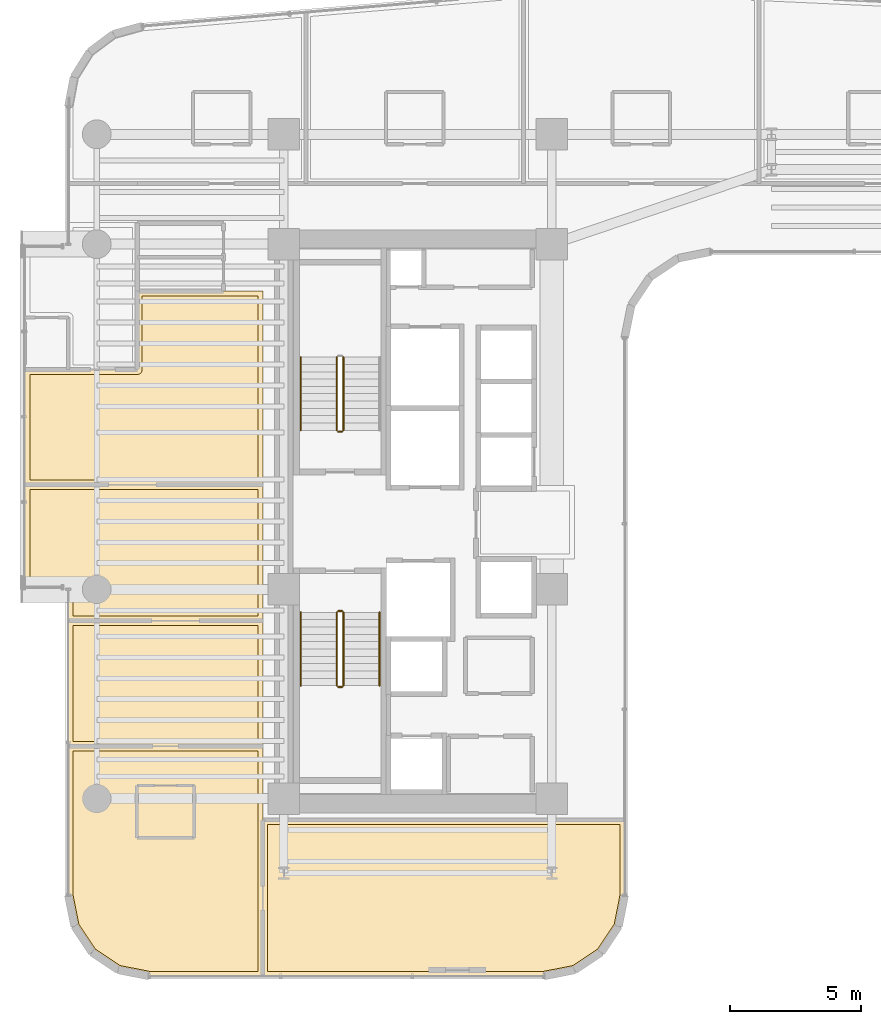
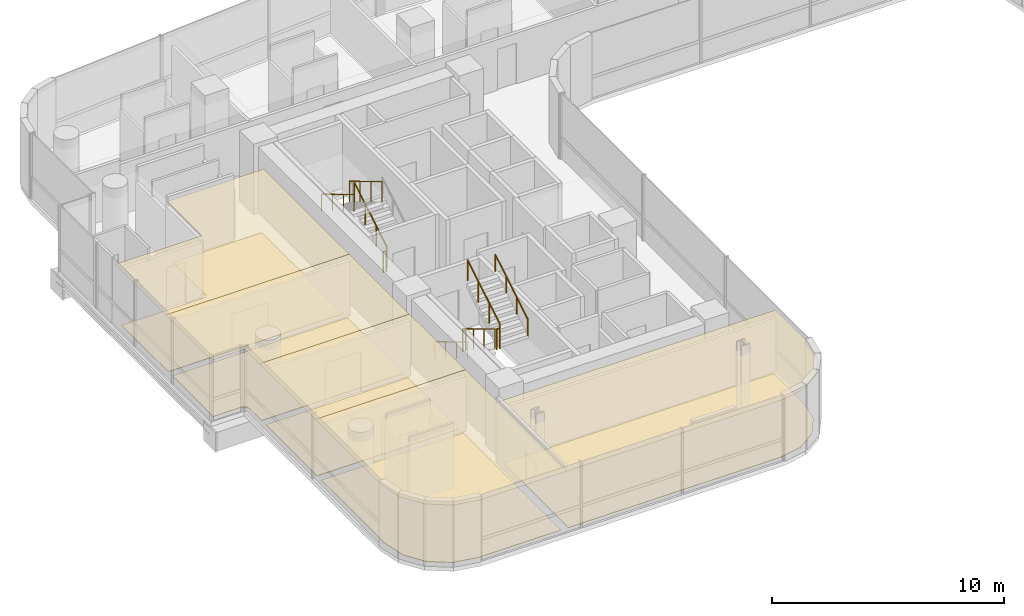
# One storey, part 31 of 35: 10 coverings, 10 railings.
"""IFC4 building model written with IfcOpenShell, lengths in metres."""

from ifc_helpers import new_model, si_unit, direction, frame, origin, origin_2d, place, context, subcontext, project, spatial, polyline, circle, outline, extrude, material, layer, layer_set, type_object, element, save


model = new_model("IFC4")

# Units and contexts
model_context = context("Model", 3, precision=1e-05, world=origin(), true_north=direction((0.0, 1.0)))
body_context = subcontext(model_context, "Body", "Model", "MODEL_VIEW")
ifc_project = project(units=[si_unit("LENGTHUNIT", "METRE"), si_unit("AREAUNIT", "SQUARE_METRE"), si_unit("VOLUMEUNIT", "CUBIC_METRE"), si_unit("PLANEANGLEUNIT", "RADIAN"), si_unit("MASSUNIT", "GRAM", prefix="KILO")], contexts=[model_context])

# Site, building, storey
site_placement = place(None, origin())
site = spatial("IfcSite", under=ifc_project, at=site_placement, CompositionType="ELEMENT")
building_placement = place(site_placement, origin())
building = spatial("IfcBuilding", under=site, at=building_placement, Name="Valdorenza Pilgrim Sanctuary Tower", CompositionType="ELEMENT")
storey_placement = place(building_placement, frame((0.0, 0.0, 113.10009765625)))
storey = spatial("IfcBuildingStorey", under=building, at=storey_placement, Name="L28", CompositionType="ELEMENT", Elevation=113.10009765625)

# Coverings
ifc_material_1 = material(Name="Micro-perforated acoustic mineral ceiling tile", Category="gypsum")
ifc_layer_1 = layer(ifc_material_1, 0.02490234375, Name="Micro-perforated acoustic mineral ceiling tile")
ifc_layer_set_1 = layer_set([ifc_layer_1], Name="Micro-perforated acoustic mineral ceiling tile")
covering_type_1 = type_object("IfcCoveringType", Name="COV-CLG-ACU", PredefinedType="CEILING", material=ifc_layer_set_1)
covering_1_placement = place(storey_placement, frame((0.0, 0.0, 3.159912109375)))
element("IfcCovering", 1, at=covering_1_placement, inside=storey, type_object=covering_type_1, Name="L28 Pilgrim Guest Room L28-CS1 Acoustic Ceiling", PredefinedType="CEILING", context=body_context, shape_type="SweptSolid", body=[
    extrude(outline(polyline([(-23.449951171875, -8.5849609375), (-23.448486328125, -8.585205078125), (-23.447021484375, -8.585205078125), (-23.445556640625, -8.585693359375), (-23.4443359375, -8.586181640625), (-23.44287109375, -8.5869140625), (-23.441650390625, -8.58740234375), (-23.4404296875, -8.58837890625), (-23.439453125, -8.58935546875), (-23.4384765625, -8.590576171875), (-23.4375, -8.591796875), (-23.436767578125, -8.593017578125), (-23.43603515625, -8.59423828125), (-23.435546875, -8.595703125), (-23.435302734375, -8.59716796875), (-23.43505859375, -8.598388671875), (-23.43505859375, -8.60009765625), (-23.43505859375, -17.389892578125), (-23.43505859375, -17.3916015625), (-23.435302734375, -17.392822265625), (-23.435546875, -17.394287109375), (-23.43603515625, -17.395751953125), (-23.436767578125, -17.397216796875), (-23.4375, -17.398193359375), (-23.4384765625, -17.3994140625), (-23.439453125, -17.400634765625), (-23.4404296875, -17.401611328125), (-23.441650390625, -17.402587890625), (-23.44287109375, -17.4033203125), (-23.4443359375, -17.40380859375), (-23.445556640625, -17.404296875), (-23.447021484375, -17.40478515625), (-23.448486328125, -17.40478515625), (-23.449951171875, -17.405029296875), (-27.789306640625, -17.405029296875), (-27.79052734375, -17.40478515625), (-27.7919921875, -17.40478515625), (-28.984619140625, -17.16748046875), (-28.986083984375, -17.1669921875), (-28.9873046875, -17.16650390625), (-28.98876953125, -17.166015625), (-28.989990234375, -17.165283203125), (-29.99169921875, -16.495849609375), (-29.992919921875, -16.4951171875), (-29.993896484375, -16.493896484375), (-29.9951171875, -16.492919921875), (-29.995849609375, -16.49169921875), (-30.665283203125, -15.489990234375), (-30.666015625, -15.48876953125), (-30.66650390625, -15.4873046875), (-30.6669921875, -15.486083984375), (-30.66748046875, -15.484619140625), (-30.90478515625, -14.2919921875), (-30.90478515625, -14.29052734375), (-30.905029296875, -14.289306640625), (-30.905029296875, -8.60009765625), (-30.90478515625, -8.598388671875), (-30.90478515625, -8.59716796875), (-30.904296875, -8.595703125), (-30.90380859375, -8.59423828125), (-30.9033203125, -8.593017578125), (-30.902587890625, -8.591796875), (-30.901611328125, -8.590576171875), (-30.900634765625, -8.58935546875), (-30.8994140625, -8.58837890625), (-30.898193359375, -8.58740234375), (-30.897216796875, -8.5869140625), (-30.895751953125, -8.586181640625), (-30.894287109375, -8.585693359375), (-30.892822265625, -8.585205078125), (-30.8916015625, -8.585205078125), (-30.889892578125, -8.5849609375), (-23.449951171875, -8.5849609375)])), origin(), (0.0, 0.0, 1.0), 0.02490234375),
])
covering_2_placement = place(storey_placement, frame((0.0, 0.0, 3.159912109375)))
element("IfcCovering", 2, at=covering_2_placement, inside=storey, type_object=covering_type_1, Name="L28 South Contemplation Salon L28 Acoustic Ceiling", PredefinedType="CEILING", context=body_context, shape_type="SweptSolid", body=[
    extrude(outline(polyline([(-23.43505859375, -8.597900390625), (-23.43505859375, -8.599609375), (-23.435302734375, -8.600830078125), (-23.435546875, -8.602294921875), (-23.43603515625, -8.603759765625), (-23.436767578125, -8.60498046875), (-23.4375, -8.606201171875), (-23.4384765625, -8.607421875), (-23.439453125, -8.608642578125), (-23.4404296875, -8.609619140625), (-23.441650390625, -8.610595703125), (-23.44287109375, -8.611083984375), (-23.4443359375, -8.61181640625), (-23.445556640625, -8.6123046875), (-23.447021484375, -8.61279296875), (-23.448486328125, -8.61279296875), (-23.449951171875, -8.613037109375), (-30.889892578125, -8.613037109375), (-30.8916015625, -8.61279296875), (-30.892822265625, -8.61279296875), (-30.894287109375, -8.6123046875), (-30.895751953125, -8.61181640625), (-30.897216796875, -8.611083984375), (-30.898193359375, -8.610595703125), (-30.8994140625, -8.609619140625), (-30.900634765625, -8.608642578125), (-30.901611328125, -8.607421875), (-30.902587890625, -8.606201171875), (-30.9033203125, -8.60498046875), (-30.90380859375, -8.603759765625), (-30.904296875, -8.602294921875), (-30.90478515625, -8.600830078125), (-30.90478515625, -8.599609375), (-30.905029296875, -8.597900390625), (-30.905029296875, -3.800048828125), (-30.90478515625, -3.798583984375), (-30.90478515625, -3.797119140625), (-30.904296875, -3.795654296875), (-30.90380859375, -3.794189453125), (-30.9033203125, -3.79296875), (-30.902587890625, -3.791748046875), (-30.901611328125, -3.79052734375), (-30.900634765625, -3.789306640625), (-30.8994140625, -3.788330078125), (-30.898193359375, -3.78759765625), (-30.897216796875, -3.786865234375), (-30.895751953125, -3.7861328125), (-30.894287109375, -3.78564453125), (-30.892822265625, -3.785400390625), (-30.8916015625, -3.78515625), (-30.889892578125, -3.784912109375), (-23.449951171875, -3.784912109375), (-23.448486328125, -3.78515625), (-23.447021484375, -3.785400390625), (-23.445556640625, -3.78564453125), (-23.4443359375, -3.7861328125), (-23.44287109375, -3.786865234375), (-23.441650390625, -3.78759765625), (-23.4404296875, -3.788330078125), (-23.439453125, -3.789306640625), (-23.4384765625, -3.79052734375), (-23.4375, -3.791748046875), (-23.436767578125, -3.79296875), (-23.43603515625, -3.794189453125), (-23.435546875, -3.795654296875), (-23.435302734375, -3.797119140625), (-23.43505859375, -3.798583984375), (-23.43505859375, -3.800048828125), (-23.43505859375, -8.597900390625)])), origin(), (0.0, 0.0, 1.0), 0.02490234375),
])
covering_3_placement = place(storey_placement, frame((0.0, 0.0, 3.159912109375)))
element("IfcCovering", 3, at=covering_3_placement, inside=storey, type_object=covering_type_1, Name="L28 Pilgrim Reading Lounge L28 Acoustic Ceiling", PredefinedType="CEILING", context=body_context, shape_type="SweptSolid", body=[
    extrude(outline(polyline([(-23.43505859375, -3.798095703125), (-23.43505859375, -3.799560546875), (-23.435302734375, -3.80078125), (-23.435546875, -3.802490234375), (-23.43603515625, -3.8037109375), (-23.436767578125, -3.80517578125), (-23.4375, -3.806396484375), (-23.4384765625, -3.8076171875), (-23.439453125, -3.80859375), (-23.4404296875, -3.8095703125), (-23.441650390625, -3.810546875), (-23.44287109375, -3.811279296875), (-23.4443359375, -3.81201171875), (-23.445556640625, -3.8125), (-23.447021484375, -3.812744140625), (-23.448486328125, -3.81298828125), (-23.449951171875, -3.81298828125), (-30.889892578125, -3.81298828125), (-30.8916015625, -3.81298828125), (-30.892822265625, -3.812744140625), (-30.894287109375, -3.8125), (-30.895751953125, -3.81201171875), (-30.897216796875, -3.811279296875), (-30.898193359375, -3.810546875), (-30.8994140625, -3.8095703125), (-30.900634765625, -3.80859375), (-30.901611328125, -3.8076171875), (-30.902587890625, -3.806396484375), (-30.9033203125, -3.80517578125), (-30.90380859375, -3.8037109375), (-30.904296875, -3.802490234375), (-30.90478515625, -3.80078125), (-30.90478515625, -3.799560546875), (-30.905029296875, -3.798095703125), (-30.905029296875, -2.600341796875), (-30.905517578125, -2.5908203125), (-30.90673828125, -2.58154296875), (-30.9091796875, -2.572509765625), (-30.912109375, -2.563720703125), (-30.916259765625, -2.55517578125), (-30.9208984375, -2.547119140625), (-30.926513671875, -2.539794921875), (-30.932861328125, -2.53271484375), (-30.939697265625, -2.526611328125), (-30.947265625, -2.52099609375), (-30.955078125, -2.51611328125), (-30.963623046875, -2.51220703125), (-30.972412109375, -2.509033203125), (-30.9814453125, -2.5068359375), (-30.99072265625, -2.505615234375), (-31.00048828125, -2.5048828125), (-32.5400390625, -2.5048828125), (-32.54150390625, -2.5048828125), (-32.54296875, -2.504638671875), (-32.54443359375, -2.50439453125), (-32.545654296875, -2.50390625), (-32.547119140625, -2.503173828125), (-32.54833984375, -2.50244140625), (-32.549560546875, -2.501708984375), (-32.550537109375, -2.50048828125), (-32.551513671875, -2.49951171875), (-32.552490234375, -2.498291015625), (-32.55322265625, -2.4970703125), (-32.553955078125, -2.49560546875), (-32.554443359375, -2.494384765625), (-32.5546875, -2.492919921875), (-32.554931640625, -2.491455078125), (-32.554931640625, -2.489990234375), (-32.554931640625, 1.39990234375), (-32.554931640625, 1.401611328125), (-32.5546875, 1.40283203125), (-32.554443359375, 1.404296875), (-32.553955078125, 1.40576171875), (-32.55322265625, 1.406982421875), (-32.552490234375, 1.408203125), (-32.551513671875, 1.409423828125), (-32.550537109375, 1.41064453125), (-32.549560546875, 1.41162109375), (-32.54833984375, 1.41259765625), (-32.547119140625, 1.4130859375), (-32.545654296875, 1.413818359375), (-32.54443359375, 1.414306640625), (-32.54296875, 1.414794921875), (-32.54150390625, 1.414794921875), (-32.5400390625, 1.4150390625), (-23.449951171875, 1.4150390625), (-23.448486328125, 1.414794921875), (-23.447021484375, 1.414794921875), (-23.445556640625, 1.414306640625), (-23.4443359375, 1.413818359375), (-23.44287109375, 1.4130859375), (-23.441650390625, 1.41259765625), (-23.4404296875, 1.41162109375), (-23.439453125, 1.41064453125), (-23.4384765625, 1.409423828125), (-23.4375, 1.408203125), (-23.436767578125, 1.406982421875), (-23.43603515625, 1.40576171875), (-23.435546875, 1.404296875), (-23.435302734375, 1.40283203125), (-23.43505859375, 1.401611328125), (-23.43505859375, 1.39990234375), (-23.43505859375, -3.798095703125)])), origin(), (0.0, 0.0, 1.0), 0.02490234375),
])
covering_4_placement = place(storey_placement, frame((0.0, 0.0, 3.159912109375)))
element("IfcCovering", 4, at=covering_4_placement, inside=storey, type_object=covering_type_1, Name="L28 North Contemplation Salon L28 Acoustic Ceiling", PredefinedType="CEILING", context=body_context, shape_type="SweptSolid", body=[
    extrude(outline(polyline([(-30.8916015625, 5.81298828125), (-30.89111328125, 5.81298828125), (-30.889404296875, 5.813232421875), (-30.887939453125, 5.813232421875), (-30.886474609375, 5.81298828125), (-30.88623046875, 5.81298828125), (-28.262939453125, 5.81298828125), (-28.262939453125, 8.798095703125), (-28.262939453125, 8.799560546875), (-28.2626953125, 8.80078125), (-28.262451171875, 8.802490234375), (-28.261962890625, 8.8037109375), (-28.26123046875, 8.80517578125), (-28.260498046875, 8.806396484375), (-28.259521484375, 8.8076171875), (-28.258544921875, 8.80859375), (-28.257568359375, 8.8095703125), (-28.25634765625, 8.810546875), (-28.255126953125, 8.811279296875), (-28.253662109375, 8.81201171875), (-28.25244140625, 8.8125), (-28.2509765625, 8.812744140625), (-28.24951171875, 8.81298828125), (-28.248046875, 8.81298828125), (-24.955322265625, 8.81298828125), (-24.954833984375, 8.813232421875), (-24.95361328125, 8.81396484375), (-24.9521484375, 8.814453125), (-24.95068359375, 8.814697265625), (-24.949462890625, 8.81494140625), (-24.947998046875, 8.81494140625), (-23.449951171875, 8.81494140625), (-23.448486328125, 8.81494140625), (-23.447021484375, 8.814697265625), (-23.445556640625, 8.814453125), (-23.4443359375, 8.81396484375), (-23.44287109375, 8.813232421875), (-23.441650390625, 8.8125), (-23.4404296875, 8.8115234375), (-23.439453125, 8.810546875), (-23.4384765625, 8.8095703125), (-23.4375, 8.808349609375), (-23.436767578125, 8.80712890625), (-23.43603515625, 8.8056640625), (-23.435546875, 8.804443359375), (-23.435302734375, 8.802978515625), (-23.43505859375, 8.801513671875), (-23.43505859375, 8.800048828125), (-23.43505859375, 1.402099609375), (-23.43505859375, 1.400390625), (-23.435302734375, 1.399169921875), (-23.435546875, 1.397705078125), (-23.43603515625, 1.396240234375), (-23.436767578125, 1.39501953125), (-23.4375, 1.393798828125), (-23.4384765625, 1.392578125), (-23.439453125, 1.391357421875), (-23.4404296875, 1.390380859375), (-23.441650390625, 1.389404296875), (-23.44287109375, 1.388916015625), (-23.4443359375, 1.38818359375), (-23.445556640625, 1.3876953125), (-23.447021484375, 1.38720703125), (-23.448486328125, 1.38720703125), (-23.449951171875, 1.386962890625), (-32.5400390625, 1.386962890625), (-32.54150390625, 1.38720703125), (-32.54296875, 1.38720703125), (-32.54443359375, 1.3876953125), (-32.545654296875, 1.38818359375), (-32.547119140625, 1.388916015625), (-32.54833984375, 1.389404296875), (-32.549560546875, 1.390380859375), (-32.550537109375, 1.391357421875), (-32.551513671875, 1.392578125), (-32.552490234375, 1.393798828125), (-32.55322265625, 1.39501953125), (-32.553955078125, 1.396240234375), (-32.554443359375, 1.397705078125), (-32.5546875, 1.399169921875), (-32.554931640625, 1.400390625), (-32.554931640625, 1.402099609375), (-32.554931640625, 5.798095703125), (-32.554931640625, 5.799560546875), (-32.5546875, 5.80078125), (-32.554443359375, 5.802490234375), (-32.553955078125, 5.8037109375), (-32.55322265625, 5.80517578125), (-32.552490234375, 5.806396484375), (-32.551513671875, 5.8076171875), (-32.550537109375, 5.80859375), (-32.549560546875, 5.8095703125), (-32.54833984375, 5.810546875), (-32.547119140625, 5.811279296875), (-32.545654296875, 5.81201171875), (-32.54443359375, 5.8125), (-32.54296875, 5.812744140625), (-32.54150390625, 5.81298828125), (-32.5400390625, 5.81298828125), (-30.8916015625, 5.81298828125)])), origin(), (0.0, 0.0, 1.0), 0.02490234375),
])
covering_5_placement = place(storey_placement, frame((0.0, 0.0, 3.159912109375)))
element("IfcCovering", 5, at=covering_5_placement, inside=storey, type_object=covering_type_1, Name="L28 South Panoramic Viewing Salon L28 Acoustic Ceiling", PredefinedType="CEILING", context=body_context, shape_type="SweptSolid", body=[
    extrude(outline(polyline([(-9.610107421875, -11.405029296875), (-9.6083984375, -11.405029296875), (-9.607177734375, -11.4052734375), (-9.605712890625, -11.405517578125), (-9.604248046875, -11.406005859375), (-9.602783203125, -11.40673828125), (-9.601806640625, -11.407470703125), (-9.6005859375, -11.408447265625), (-9.599365234375, -11.409423828125), (-9.598388671875, -11.410400390625), (-9.597412109375, -11.41162109375), (-9.5966796875, -11.412841796875), (-9.59619140625, -11.414306640625), (-9.595703125, -11.41552734375), (-9.59521484375, -11.4169921875), (-9.59521484375, -11.41845703125), (-9.594970703125, -11.419921875), (-9.594970703125, -14.289306640625), (-9.59521484375, -14.29052734375), (-9.59521484375, -14.2919921875), (-9.83251953125, -15.484619140625), (-9.8330078125, -15.486083984375), (-9.83349609375, -15.4873046875), (-9.833984375, -15.48876953125), (-9.834716796875, -15.489990234375), (-10.504150390625, -16.49169921875), (-10.5048828125, -16.492919921875), (-10.506103515625, -16.493896484375), (-10.507080078125, -16.4951171875), (-10.50830078125, -16.495849609375), (-11.510009765625, -17.165283203125), (-11.51123046875, -17.166015625), (-11.5126953125, -17.16650390625), (-11.513916015625, -17.1669921875), (-11.515380859375, -17.16748046875), (-12.7080078125, -17.40478515625), (-12.70947265625, -17.40478515625), (-12.710693359375, -17.405029296875), (-23.447998046875, -17.405029296875), (-23.449462890625, -17.40478515625), (-23.450927734375, -17.40478515625), (-23.452392578125, -17.404296875), (-23.45361328125, -17.40380859375), (-23.455078125, -17.4033203125), (-23.456298828125, -17.402587890625), (-23.45751953125, -17.401611328125), (-23.45849609375, -17.400634765625), (-23.459716796875, -17.3994140625), (-23.46044921875, -17.398193359375), (-23.461181640625, -17.397216796875), (-23.4619140625, -17.395751953125), (-23.46240234375, -17.394287109375), (-23.462646484375, -17.392822265625), (-23.462890625, -17.3916015625), (-23.462890625, -17.389892578125), (-23.462890625, -11.419921875), (-23.462890625, -11.41845703125), (-23.462646484375, -11.4169921875), (-23.46240234375, -11.41552734375), (-23.4619140625, -11.414306640625), (-23.461181640625, -11.412841796875), (-23.46044921875, -11.41162109375), (-23.459716796875, -11.410400390625), (-23.45849609375, -11.409423828125), (-23.45751953125, -11.408447265625), (-23.456298828125, -11.407470703125), (-23.455078125, -11.40673828125), (-23.45361328125, -11.406005859375), (-23.452392578125, -11.405517578125), (-23.450927734375, -11.4052734375), (-23.449462890625, -11.405029296875), (-23.447998046875, -11.405029296875), (-9.610107421875, -11.405029296875)])), origin(), (0.0, 0.0, 1.0), 0.02490234375),
])
ifc_material_2 = material(Name="Engineered European oak timber flooring", Category="wood")
ifc_layer_2 = layer(ifc_material_2, 0.02197265625, Name="Engineered European oak timber flooring")
ifc_layer_set_2 = layer_set([ifc_layer_2], Name="Engineered European oak timber flooring")
covering_type_2 = type_object("IfcCoveringType", Name="COV-FLR-OAK", PredefinedType="FLOORING", material=ifc_layer_set_2)
covering_6_placement = place(storey_placement, origin())
element("IfcCovering", 6, at=covering_6_placement, inside=storey, type_object=covering_type_2, Name="L28 Pilgrim Guest Room L28-CS1 Flooring", PredefinedType="FLOORING", context=body_context, shape_type="SweptSolid", body=[
    extrude(outline(polyline([(-23.6298828125, -8.780029296875), (-23.6298828125, -17.2099609375), (-27.771484375, -17.2099609375), (-28.911376953125, -16.983154296875), (-29.853515625, -16.353515625), (-30.483154296875, -15.411376953125), (-30.7099609375, -14.271484375), (-30.7099609375, -8.780029296875), (-23.6298828125, -8.780029296875)])), origin(), (0.0, 0.0, 1.0), 0.02490234375),
])
ifc_material_3 = material(Name="Honed travertine stone flooring", Category="masonry")
ifc_layer_3 = layer(ifc_material_3, 0.030029296875, Name="Honed travertine stone flooring")
ifc_layer_set_3 = layer_set([ifc_layer_3], Name="Honed travertine stone flooring")
covering_type_3 = type_object("IfcCoveringType", Name="COV-FLR-TRV", PredefinedType="FLOORING", material=ifc_layer_set_3)
covering_7_placement = place(storey_placement, origin())
element("IfcCovering", 7, at=covering_7_placement, inside=storey, type_object=covering_type_3, Name="L28 South Contemplation Salon L28 Flooring", PredefinedType="FLOORING", context=body_context, shape_type="SweptSolid", body=[
    extrude(outline(polyline([(-23.6298828125, -8.41796875), (-30.7099609375, -8.41796875), (-30.7099609375, -3.97998046875), (-23.6298828125, -3.97998046875), (-23.6298828125, -8.41796875)])), origin(), (0.0, 0.0, 1.0), 0.02490234375),
])
covering_8_placement = place(storey_placement, origin())
element("IfcCovering", 8, at=covering_8_placement, inside=storey, type_object=covering_type_3, Name="L28 Pilgrim Reading Lounge L28 Flooring", PredefinedType="FLOORING", context=body_context, shape_type="SweptSolid", body=[
    extrude(outline(polyline([(-23.6298828125, -3.617919921875), (-30.7099609375, -3.617919921875), (-30.7099609375, -2.60009765625), (-30.710205078125, -2.59130859375), (-30.710693359375, -2.580322265625), (-30.71240234375, -2.562744140625), (-30.714111328125, -2.552001953125), (-30.717529296875, -2.534912109375), (-30.72021484375, -2.5244140625), (-30.725341796875, -2.50732421875), (-30.72900390625, -2.497314453125), (-30.735595703125, -2.48095703125), (-30.740234375, -2.47119140625), (-30.74853515625, -2.45556640625), (-30.754150390625, -2.4462890625), (-30.763916015625, -2.431640625), (-30.7705078125, -2.423095703125), (-30.781494140625, -2.4091796875), (-30.788818359375, -2.4013671875), (-30.80126953125, -2.388916015625), (-30.809326171875, -2.381591796875), (-30.822998046875, -2.370361328125), (-30.831787109375, -2.364013671875), (-30.84619140625, -2.35400390625), (-30.855712890625, -2.3486328125), (-30.87109375, -2.34033203125), (-30.880859375, -2.335693359375), (-30.897216796875, -2.328857421875), (-30.907470703125, -2.3251953125), (-30.92431640625, -2.320068359375), (-30.934814453125, -2.3173828125), (-30.9521484375, -2.314208984375), (-30.962890625, -2.3125), (-30.98046875, -2.310791015625), (-30.9912109375, -2.310302734375), (-31.0, -2.31005859375), (-32.360107421875, -2.31005859375), (-32.360107421875, 1.219970703125), (-23.6298828125, 1.219970703125), (-23.6298828125, -3.617919921875)])), origin(), (0.0, 0.0, 1.0), 0.02490234375),
])
covering_9_placement = place(storey_placement, origin())
element("IfcCovering", 9, at=covering_9_placement, inside=storey, type_object=covering_type_3, Name="L28 North Contemplation Salon L28 Flooring", PredefinedType="FLOORING", context=body_context, shape_type="SweptSolid", body=[
    extrude(outline(polyline([(-30.88818359375, 5.617919921875), (-30.887939453125, 5.617919921875), (-28.25, 5.617919921875), (-28.2412109375, 5.6181640625), (-28.240966796875, 5.6181640625), (-28.223388671875, 5.6201171875), (-28.22314453125, 5.6201171875), (-28.205810546875, 5.623291015625), (-28.205810546875, 5.62353515625), (-28.188720703125, 5.628662109375), (-28.188720703125, 5.628662109375), (-28.17236328125, 5.635498046875), (-28.172119140625, 5.635498046875), (-28.156494140625, 5.643798828125), (-28.156494140625, 5.643798828125), (-28.1416015625, 5.65380859375), (-28.1416015625, 5.65380859375), (-28.1279296875, 5.6650390625), (-28.127685546875, 5.665283203125), (-28.115234375, 5.677734375), (-28.114990234375, 5.677978515625), (-28.10400390625, 5.69140625), (-28.103759765625, 5.691650390625), (-28.093994140625, 5.706298828125), (-28.09375, 5.70654296875), (-28.08544921875, 5.72216796875), (-28.08544921875, 5.722412109375), (-28.07861328125, 5.738525390625), (-28.07861328125, 5.73876953125), (-28.073486328125, 5.755615234375), (-28.073486328125, 5.755859375), (-28.070068359375, 5.773193359375), (-28.070068359375, 5.7734375), (-28.068115234375, 5.791015625), (-28.068115234375, 5.791259765625), (-28.068115234375, 5.800048828125), (-28.068115234375, 8.617919921875), (-24.949951171875, 8.617919921875), (-24.94970703125, 8.617919921875), (-23.6298828125, 8.619873046875), (-23.6298828125, 1.58203125), (-32.360107421875, 1.58203125), (-32.360107421875, 5.617919921875), (-30.889892578125, 5.617919921875), (-30.888916015625, 5.617919921875), (-30.88818359375, 5.617919921875)])), origin(), (0.0, 0.0, 1.0), 0.02490234375),
])
covering_10_placement = place(storey_placement, origin())
element("IfcCovering", 10, at=covering_10_placement, inside=storey, type_object=covering_type_3, Name="L28 South Panoramic Viewing Salon L28 Flooring", PredefinedType="FLOORING", context=body_context, shape_type="SweptSolid", body=[
    extrude(outline(polyline([(-9.7900390625, -11.60009765625), (-9.7900390625, -14.271484375), (-10.016845703125, -15.411376953125), (-10.646484375, -16.353515625), (-11.588623046875, -16.983154296875), (-12.728515625, -17.2099609375), (-23.26806640625, -17.2099609375), (-23.26806640625, -11.60009765625), (-9.7900390625, -11.60009765625)])), origin(), (0.0, 0.0, 1.0), 0.02490234375),
])

# Railings
ifc_material_4 = material(Name="Stainless steel Grade 316", Category="steel")
railing_type_1 = type_object("IfcRailingType", Name="RLG-GRD-1120", PredefinedType="GUARDRAIL", material=ifc_material_4)
railing_1_placement = place(storey_placement, frame((-20.3701171875, 3.47998046875, 0.16796875)))
element("IfcRailing", 11, at=railing_1_placement, inside=storey, type_object=railing_type_1, Name="L28 ST-A1 stair guard 1", PredefinedType="GUARDRAIL", context=body_context, shape_type="SweptSolid", body=[
    extrude(circle(Radius=0.02392578125, at=origin_2d()), frame((0.0, 0.0, 1.076171875), z_axis=(0.0, 0.857242210791, 0.514913383045), x_axis=(-1.0, 0.0, 0.0)), (0.0, 0.0, 1.0), 3.266357421875),
    extrude(circle(Radius=0.02099609375, at=origin_2d()), origin(), (0.0, 0.0, 1.0), 1.052001953125),
    extrude(circle(Radius=0.02099609375, at=origin_2d()), frame((0.0, 0.933349609375, 0.560546875)), (0.0, 0.0, 1.0), 1.052001953125),
    extrude(circle(Radius=0.02099609375, at=origin_2d()), frame((0.0, 1.86669921875, 1.121337890625)), (0.0, 0.0, 1.0), 1.052001953125),
    extrude(circle(Radius=0.02099609375, at=origin_2d()), frame((0.0, 2.800048828125, 1.681884765625)), (0.0, 0.0, 1.0), 1.052001953125),
])
railing_2_placement = place(storey_placement, frame((-20.6201171875, 6.280029296875, 2.01806640625)))
element("IfcRailing", 12, at=railing_2_placement, inside=storey, type_object=railing_type_1, Name="L28 ST-A1 stair guard 3", PredefinedType="GUARDRAIL", context=body_context, shape_type="SweptSolid", body=[
    extrude(circle(Radius=0.02392578125, at=origin_2d()), frame((0.0, 0.0, 1.076171875), z_axis=(0.0, -0.857242210791, 0.514913383045), x_axis=(1.0, 0.0, 0.0)), (0.0, 0.0, 1.0), 3.266357421875),
    extrude(circle(Radius=0.02099609375, at=origin_2d()), origin(), (0.0, 0.0, 1.0), 1.052001953125),
    extrude(circle(Radius=0.02099609375, at=origin_2d()), frame((0.0, -0.933349609375, 0.560546875)), (0.0, 0.0, 1.0), 1.052001953125),
    extrude(circle(Radius=0.02099609375, at=origin_2d()), frame((0.0, -1.86669921875, 1.121337890625)), (0.0, 0.0, 1.0), 1.052001953125),
    extrude(circle(Radius=0.02099609375, at=origin_2d()), frame((0.0, -2.800048828125, 1.681884765625)), (0.0, 0.0, 1.0), 1.052001953125),
])
railing_3_placement = place(storey_placement, frame((-20.419921875, 3.429931640625, 0.0)))
element("IfcRailing", 13, at=railing_3_placement, inside=storey, type_object=railing_type_1, Name="L28 ST-A1 stair guard 4", PredefinedType="GUARDRAIL", context=body_context, shape_type="SweptSolid", body=[
    extrude(circle(Radius=0.02392578125, at=origin_2d()), frame((0.0, 0.0, 1.076171875), z_axis=(-1.0, 0.0, 0.0), x_axis=(0.0, -1.0, 0.0)), (0.0, 0.0, 1.0), 0.150146484375),
    extrude(circle(Radius=0.02099609375, at=origin_2d()), origin(), (0.0, 0.0, 1.0), 1.052001953125),
    extrude(circle(Radius=0.02099609375, at=origin_2d()), frame((-0.150146484375, 0.0, 0.0)), (0.0, 0.0, 1.0), 1.052001953125),
])
railing_4_placement = place(storey_placement, frame((-20.6201171875, -3.47998046875, 0.16796875)))
element("IfcRailing", 14, at=railing_4_placement, inside=storey, type_object=railing_type_1, Name="L28 ST-A2 stair guard 1", PredefinedType="GUARDRAIL", context=body_context, shape_type="SweptSolid", body=[
    extrude(circle(Radius=0.02392578125, at=origin_2d()), frame((0.0, 0.0, 1.076171875), z_axis=(0.0, -0.857242210791, 0.514913383045), x_axis=(1.0, 0.0, 0.0)), (0.0, 0.0, 1.0), 3.266357421875),
    extrude(circle(Radius=0.02099609375, at=origin_2d()), origin(), (0.0, 0.0, 1.0), 1.052001953125),
    extrude(circle(Radius=0.02099609375, at=origin_2d()), frame((0.0, -0.933349609375, 0.560546875)), (0.0, 0.0, 1.0), 1.052001953125),
    extrude(circle(Radius=0.02099609375, at=origin_2d()), frame((0.0, -1.86669921875, 1.121337890625)), (0.0, 0.0, 1.0), 1.052001953125),
    extrude(circle(Radius=0.02099609375, at=origin_2d()), frame((0.0, -2.800048828125, 1.681884765625)), (0.0, 0.0, 1.0), 1.052001953125),
])
railing_5_placement = place(storey_placement, frame((-20.570068359375, -6.330078125, 1.849853515625)))
element("IfcRailing", 15, at=railing_5_placement, inside=storey, type_object=railing_type_1, Name="L28 ST-A2 stair guard 2", PredefinedType="GUARDRAIL", context=body_context, shape_type="SweptSolid", body=[
    extrude(circle(Radius=0.02392578125, at=origin_2d()), frame((0.0, 0.0, 1.076171875), z_axis=(1.0, 0.0, 0.0), x_axis=(0.0, 1.0, 0.0)), (0.0, 0.0, 1.0), 0.150146484375),
    extrude(circle(Radius=0.02099609375, at=origin_2d()), origin(), (0.0, 0.0, 1.0), 1.052001953125),
    extrude(circle(Radius=0.02099609375, at=origin_2d()), frame((0.150146484375, 0.0, 0.0)), (0.0, 0.0, 1.0), 1.052001953125),
])
railing_6_placement = place(storey_placement, frame((-20.3701171875, -6.280029296875, 2.01806640625)))
element("IfcRailing", 16, at=railing_6_placement, inside=storey, type_object=railing_type_1, Name="L28 ST-A2 stair guard 3", PredefinedType="GUARDRAIL", context=body_context, shape_type="SweptSolid", body=[
    extrude(circle(Radius=0.02392578125, at=origin_2d()), frame((0.0, 0.0, 1.076171875), z_axis=(0.0, 0.857242210791, 0.514913383045), x_axis=(-1.0, 0.0, 0.0)), (0.0, 0.0, 1.0), 3.266357421875),
    extrude(circle(Radius=0.02099609375, at=origin_2d()), origin(), (0.0, 0.0, 1.0), 1.052001953125),
    extrude(circle(Radius=0.02099609375, at=origin_2d()), frame((0.0, 0.933349609375, 0.560546875)), (0.0, 0.0, 1.0), 1.052001953125),
    extrude(circle(Radius=0.02099609375, at=origin_2d()), frame((0.0, 1.86669921875, 1.121337890625)), (0.0, 0.0, 1.0), 1.052001953125),
    extrude(circle(Radius=0.02099609375, at=origin_2d()), frame((0.0, 2.800048828125, 1.681884765625)), (0.0, 0.0, 1.0), 1.052001953125),
])
railing_7_placement = place(storey_placement, frame((-20.570068359375, -3.429931640625, 0.0)))
element("IfcRailing", 17, at=railing_7_placement, inside=storey, type_object=railing_type_1, Name="L28 ST-A2 stair guard 4", PredefinedType="GUARDRAIL", context=body_context, shape_type="SweptSolid", body=[
    extrude(circle(Radius=0.02392578125, at=origin_2d()), frame((0.0, 0.0, 1.076171875), z_axis=(1.0, 0.0, 0.0), x_axis=(0.0, 1.0, 0.0)), (0.0, 0.0, 1.0), 0.150146484375),
    extrude(circle(Radius=0.02099609375, at=origin_2d()), origin(), (0.0, 0.0, 1.0), 1.052001953125),
    extrude(circle(Radius=0.02099609375, at=origin_2d()), frame((0.150146484375, 0.0, 0.0)), (0.0, 0.0, 1.0), 1.052001953125),
])
ifc_material_5 = material(Name="Brushed stainless steel Grade 316", Category="steel")
railing_type_2 = type_object("IfcRailingType", Name="RLG-HND-920", PredefinedType="HANDRAIL", material=ifc_material_5)
for number, where, name in (
    (18, (-22.0, 6.280029296875, 2.01806640625), "L28 ST-A1 stair handrail 2"),
    (19, (-22.0, -3.47998046875, 0.16796875), "L28 ST-A2 stair handrail 1"),
):
    element("IfcRailing", number, at=place(storey_placement, frame(where)), inside=storey, type_object=railing_type_2, Name=name, PredefinedType="HANDRAIL", context=body_context, shape_type="SweptSolid", body=[
        extrude(circle(Radius=0.02392578125, at=origin_2d()), frame((0.0, 0.0, 0.8759765625), z_axis=(0.0, -0.857242210791, 0.514913383045), x_axis=(1.0, 0.0, 0.0)), (0.0, 0.0, 1.0), 3.266357421875),
        extrude(circle(Radius=0.02099609375, at=origin_2d()), origin(), (0.0, 0.0, 1.0), 0.851806640625),
        extrude(circle(Radius=0.02099609375, at=origin_2d()), frame((0.0, -0.933349609375, 0.560546875)), (0.0, 0.0, 1.0), 0.851806640625),
        extrude(circle(Radius=0.02099609375, at=origin_2d()), frame((0.0, -1.86669921875, 1.121337890625)), (0.0, 0.0, 1.0), 0.851806640625),
        extrude(circle(Radius=0.02099609375, at=origin_2d()), frame((0.0, -2.800048828125, 1.681884765625)), (0.0, 0.0, 1.0), 0.851806640625),
    ])
railing_8_placement = place(storey_placement, frame((-18.989990234375, -6.280029296875, 2.01806640625)))
element("IfcRailing", 20, at=railing_8_placement, inside=storey, type_object=railing_type_2, Name="L28 ST-A2 stair handrail 2", PredefinedType="HANDRAIL", context=body_context, shape_type="SweptSolid", body=[
    extrude(circle(Radius=0.02392578125, at=origin_2d()), frame((0.0, 0.0, 0.8759765625), z_axis=(0.0, 0.857242210791, 0.514913383045), x_axis=(-1.0, 0.0, 0.0)), (0.0, 0.0, 1.0), 3.266357421875),
    extrude(circle(Radius=0.02099609375, at=origin_2d()), origin(), (0.0, 0.0, 1.0), 0.851806640625),
    extrude(circle(Radius=0.02099609375, at=origin_2d()), frame((0.0, 0.933349609375, 0.560546875)), (0.0, 0.0, 1.0), 0.851806640625),
    extrude(circle(Radius=0.02099609375, at=origin_2d()), frame((0.0, 1.86669921875, 1.121337890625)), (0.0, 0.0, 1.0), 0.851806640625),
    extrude(circle(Radius=0.02099609375, at=origin_2d()), frame((0.0, 2.800048828125, 1.681884765625)), (0.0, 0.0, 1.0), 0.851806640625),
])

save(model, "model.ifc")
